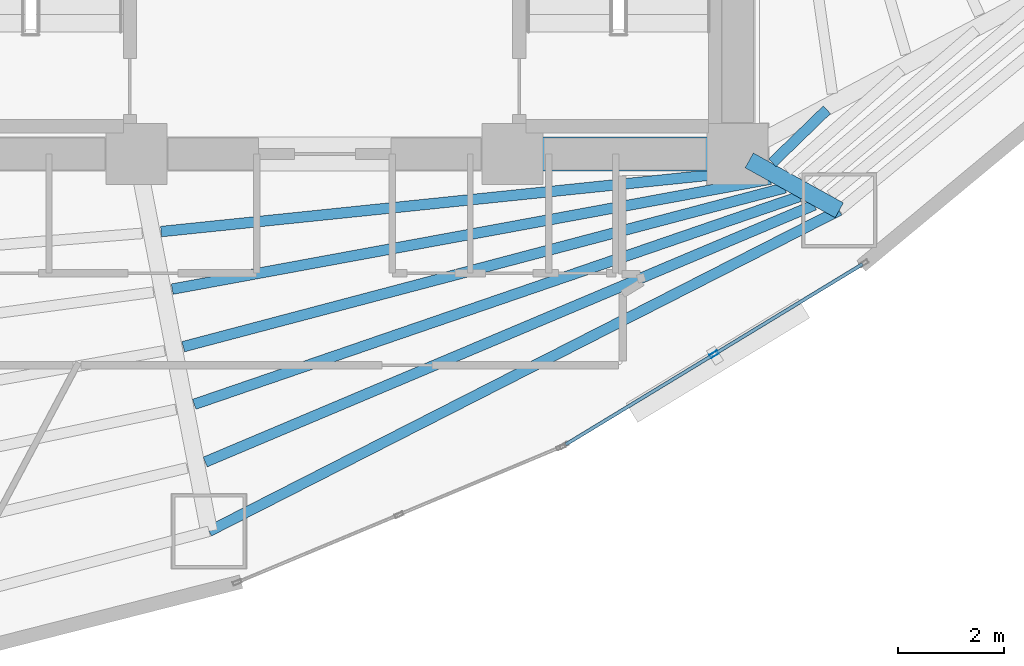
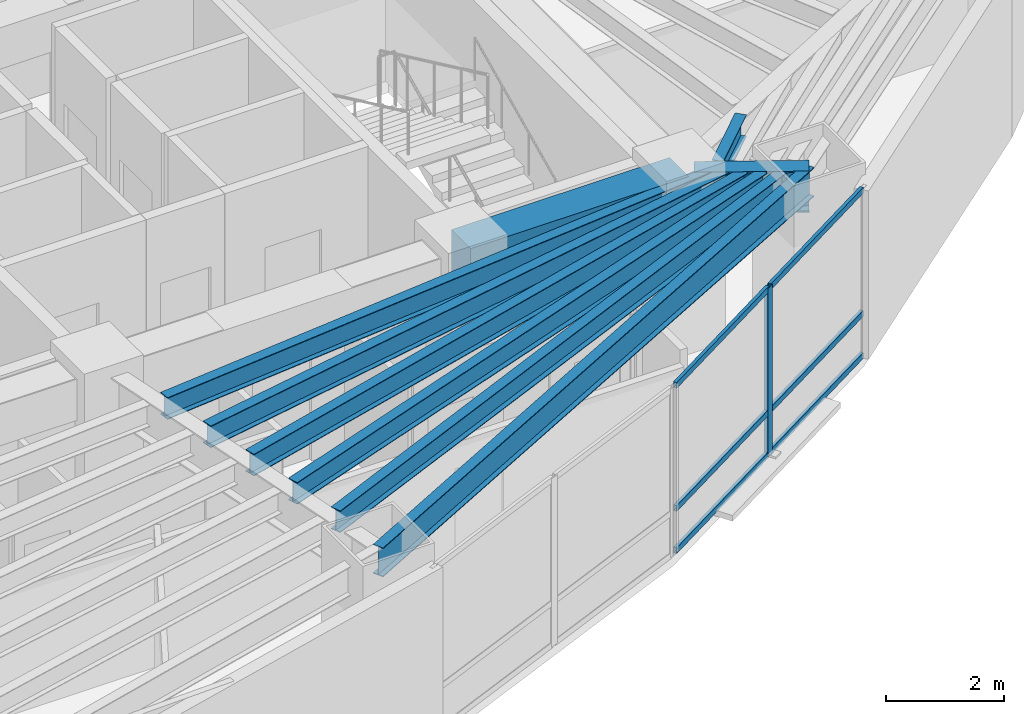
# One storey, part 5 of 18: 9 beams, 7 members, 1 element without a shape of its own.
"""IFC4 building model written with IfcOpenShell, lengths in metres."""

from ifc_helpers import new_model, si_unit, direction, frame, origin, origin_2d, place, context, subcontext, project, spatial, rectangle, hollow_rectangle, i_section, extrude, material, layer, layer_set, material_profile, profile_set, type_object, element, aggregate, save


model = new_model("IFC4")

# Units and contexts
model_context = context("Model", 3, precision=1e-05, world=origin(), true_north=direction((0.0, 1.0)))
body_context = subcontext(model_context, "Body", "Model", "MODEL_VIEW")
ifc_project = project(units=[si_unit("LENGTHUNIT", "METRE"), si_unit("AREAUNIT", "SQUARE_METRE"), si_unit("VOLUMEUNIT", "CUBIC_METRE"), si_unit("PLANEANGLEUNIT", "RADIAN"), si_unit("MASSUNIT", "GRAM", prefix="KILO")], contexts=[model_context])

# Site, building, storey
site_placement = place(None, origin())
site = spatial("IfcSite", under=ifc_project, at=site_placement, CompositionType="ELEMENT")
building_placement = place(site_placement, origin())
building = spatial("IfcBuilding", under=site, at=building_placement, Name="Menara Vayukalpa", CompositionType="ELEMENT")
storey_placement = place(building_placement, frame((0.0, 0.0, 35.0400390625)))
storey = spatial("IfcBuildingStorey", under=building, at=storey_placement, Name="L07", CompositionType="ELEMENT", Elevation=35.0400390625)

# Beams
ifc_material_1 = material(Name="Concrete C60/75", Category="concrete")
ifc_material_profile_1 = material_profile(ifc_material_1, rectangle(XDim=0.64990234375, YDim=0.85009765625, at=origin_2d()), Name="RC 650x850")
ifc_profile_set_1 = profile_set([ifc_material_profile_1], Name="Concrete C60/75")
beam_type_1 = type_object("IfcBeamType", Name="BM-CB1", PredefinedType="BEAM", material=ifc_profile_set_1)
beam_1_placement = place(storey_placement, frame((29.14990234375, 17.199951171875, 3.044921875), z_axis=(1.0, 0.0, 0.0), x_axis=(0.0, 1.0, 0.0)))
element("IfcBeam", 1, at=beam_1_placement, inside=storey, type_object=beam_type_1, Name="L07 Core Tie Beam CBR3", PredefinedType="BEAM", context=body_context, shape_type="SweptSolid", body=[
    extrude(rectangle(XDim=0.64990234375, YDim=0.85009765625, at=origin_2d()), origin(), (0.0, 0.0, 1.0), 4.25),
])
ifc_material_2 = material(Name="Steel S355", Category="steel")
ifc_material_profile_2 = material_profile(ifc_material_2, i_section(OverallWidth=0.320068359375, OverallDepth=0.85009765625, WebThickness=0.01611328125, FlangeThickness=0.030029296875, at=origin_2d()), Name="WF 850x320x16x30")
ifc_profile_set_2 = profile_set([ifc_material_profile_2], Name="Steel S355")
beam_type_2 = type_object("IfcBeamType", Name="BM-PG2", PredefinedType="BEAM", material=ifc_profile_set_2)
beam_2_placement = place(storey_placement, frame((33.61865234375, 17.078857421875, 3.044921875), z_axis=(0.87459548214, -0.484853320727, 0.0), x_axis=(0.484853320727, 0.87459548214, 0.0)))
element("IfcBeam", 2, at=beam_2_placement, inside=storey, type_object=beam_type_2, Name="L07 Primary Radial Girder RG09", PredefinedType="BEAM", context=body_context, shape_type="SweptSolid", body=[
    extrude(i_section(OverallWidth=0.320068359375, OverallDepth=0.85009765625, WebThickness=0.01611328125, FlangeThickness=0.030029296875, at=origin_2d()), origin(), (0.0, 0.0, 1.0), 1.943115234375),
])
ifc_material_3 = material(Name="Steel S355", Category="steel")
ifc_material_profile_3 = material_profile(ifc_material_3, i_section(OverallWidth=0.199951171875, OverallDepth=0.449951171875, WebThickness=0.009033203125, FlangeThickness=0.013916015625, at=origin_2d()), Name="WF 450x200x9x14")
ifc_profile_set_3 = profile_set([ifc_material_profile_3], Name="Steel S355")
beam_type_3 = type_object("IfcBeamType", Name="BM-SJ1", PredefinedType="JOIST", material=ifc_profile_set_3)
beam_3_placement = place(storey_placement, frame((22.514404296875, 15.735107421875, 3.244873046875), z_axis=(0.994746828953, 0.102365747631, 0.0), x_axis=(-0.102365747631, 0.994746828953, 0.0)))
element("IfcBeam", 3, at=beam_3_placement, inside=storey, type_object=beam_type_3, Name="L07 Secondary Floor Joist SJ08-1", PredefinedType="JOIST", context=body_context, shape_type="SweptSolid", body=[
    extrude(i_section(OverallWidth=0.199951171875, OverallDepth=0.449951171875, WebThickness=0.009033203125, FlangeThickness=0.013916015625, at=origin_2d()), origin(), (0.0, 0.0, 1.0), 11.29052734375),
])
beam_4_placement = place(storey_placement, frame((22.723876953125, 14.648681640625, 3.244873046875), z_axis=(0.983504975359, 0.180881075419, 0.0), x_axis=(-0.180881075419, 0.983504975359, 0.0)))
element("IfcBeam", 4, at=beam_4_placement, inside=storey, type_object=beam_type_3, Name="L07 Secondary Floor Joist SJ08-2", PredefinedType="JOIST", context=body_context, shape_type="SweptSolid", body=[
    extrude(i_section(OverallWidth=0.199951171875, OverallDepth=0.449951171875, WebThickness=0.009033203125, FlangeThickness=0.013916015625, at=origin_2d()), origin(), (0.0, 0.0, 1.0), 11.48486328125),
])
beam_5_placement = place(storey_placement, frame((22.932373046875, 13.561767578125, 3.244873046875), z_axis=(0.966863757537, 0.255292918746, 0.0), x_axis=(-0.255292918746, 0.966863757537, 0.0)))
element("IfcBeam", 5, at=beam_5_placement, inside=storey, type_object=beam_type_3, Name="L07 Secondary Floor Joist SJ08-3", PredefinedType="JOIST", context=body_context, shape_type="SweptSolid", body=[
    extrude(i_section(OverallWidth=0.199951171875, OverallDepth=0.449951171875, WebThickness=0.009033203125, FlangeThickness=0.013916015625, at=origin_2d()), origin(), (0.0, 0.0, 1.0), 11.751220703125),
])
beam_6_placement = place(storey_placement, frame((23.14013671875, 12.473876953125, 3.244873046875), z_axis=(0.945794261669, 0.324766400038, 0.0), x_axis=(-0.324766400038, 0.945794261669, 0.0)))
element("IfcBeam", 6, at=beam_6_placement, inside=storey, type_object=beam_type_3, Name="L07 Secondary Floor Joist SJ08-4", PredefinedType="JOIST", context=body_context, shape_type="SweptSolid", body=[
    extrude(i_section(OverallWidth=0.199951171875, OverallDepth=0.449951171875, WebThickness=0.009033203125, FlangeThickness=0.013916015625, at=origin_2d()), origin(), (0.0, 0.0, 1.0), 12.0849609375),
])
beam_7_placement = place(storey_placement, frame((23.34716796875, 11.385009765625, 3.244873046875), z_axis=(0.921359344435, 0.38871192215, 0.0), x_axis=(-0.38871192215, 0.921359344435, 0.0)))
element("IfcBeam", 7, at=beam_7_placement, inside=storey, type_object=beam_type_3, Name="L07 Secondary Floor Joist SJ08-5", PredefinedType="JOIST", context=body_context, shape_type="SweptSolid", body=[
    extrude(i_section(OverallWidth=0.199951171875, OverallDepth=0.449951171875, WebThickness=0.009033203125, FlangeThickness=0.013916015625, at=origin_2d()), origin(), (0.0, 0.0, 1.0), 12.48046875),
])
beam_8_placement = place(storey_placement, frame((34.0537109375, 17.03466796875, 3.244873046875), z_axis=(0.717488193219, 0.696570665899, 0.0), x_axis=(-0.696570665899, 0.717488193219, 0.0)))
element("IfcBeam", 8, at=beam_8_placement, inside=storey, type_object=beam_type_3, Name="L07 Secondary Floor Joist SJ09-1", PredefinedType="JOIST", context=body_context, shape_type="SweptSolid", body=[
    extrude(i_section(OverallWidth=0.199951171875, OverallDepth=0.449951171875, WebThickness=0.009033203125, FlangeThickness=0.013916015625, at=origin_2d()), origin(), (0.0, 0.0, 1.0), 1.435546875),
])
ifc_material_4 = material(Name="Steel S355", Category="steel")
ifc_material_profile_4 = material_profile(ifc_material_4, i_section(OverallWidth=0.199951171875, OverallDepth=0.60009765625, WebThickness=0.010986328125, FlangeThickness=0.01708984375, at=origin_2d()), Name="WF 600x200x11x17")
ifc_profile_set_4 = profile_set([ifc_material_profile_4], Name="Steel S355")
beam_type_4 = type_object("IfcBeamType", Name="BM-SP1", PredefinedType="SPANDREL", material=ifc_profile_set_4)
beam_9_placement = place(storey_placement, frame((23.41943359375, 10.0771484375, 3.169921875), z_axis=(0.891100743313, 0.453805536841, 0.0), x_axis=(-0.453805536841, 0.891100743313, 0.0)))
element("IfcBeam", 9, at=beam_9_placement, inside=storey, type_object=beam_type_4, Name="L07 Perimeter Spandrel Beam SP08", PredefinedType="SPANDREL", context=body_context, shape_type="SweptSolid", body=[
    extrude(i_section(OverallWidth=0.199951171875, OverallDepth=0.60009765625, WebThickness=0.010986328125, FlangeThickness=0.01708984375, at=origin_2d()), origin(), (0.0, 0.0, 1.0), 13.352783203125),
])

# Curtain wall, members
ifc_material_5 = material(Name="Anodised Terracotta Aluminium Alloy 6063-T6", Category="masonry")
ifc_layer = layer(ifc_material_5, 0.1650390625)
ifc_layer_set = layer_set([ifc_layer], Name="Anodised Terracotta Aluminium Alloy 6063-T6")
curtain_wall_type = type_object("IfcCurtainWallType", Name="CW-CW2", PredefinedType="USERDEFINED", material=ifc_layer_set)
curtain_wall_placement = place(storey_placement, origin())
curtain_wall = element("IfcCurtainWall", 10, at=curtain_wall_placement, inside=storey, type_object=curtain_wall_type, Name="L07 Low Rise Terracotta Ribbon Curtain Wall CW2 17", ObjectType="UNITISED", PredefinedType="USERDEFINED")
ifc_material_6 = material(Name="Anodised Terracotta Aluminium Alloy 6063-T6", Category="masonry")
ifc_material_profile_5 = material_profile(ifc_material_6, hollow_rectangle(XDim=0.070068359375, YDim=0.1650390625, WallThickness=0.00390625, at=origin_2d()), Name="ALU 70x165x4")
ifc_profile_set_5 = profile_set([ifc_material_profile_5], Name="Anodised Terracotta Aluminium Alloy 6063-T6")
member_type_1 = type_object("IfcMemberType", Name="CWM-CW2", PredefinedType="MULLION", material=ifc_profile_set_5)
member_1_placement = place(storey_placement, frame((32.9560546875, 13.418701171875, 0.0), z_axis=(0.0, 0.0, 1.0), x_axis=(-0.519181964377, 0.854663727945, 0.0)))
member_1 = element("IfcMember", 11, at=member_1_placement, type_object=member_type_1, Name="CW2 mullion 2", PredefinedType="MULLION", context=body_context, shape_type="SweptSolid", body=[
    extrude(hollow_rectangle(XDim=0.070068359375, YDim=0.1650390625, WallThickness=0.00390625, at=origin_2d()), origin(), (0.0, 0.0, 1.0), 3.469970703125),
])
ifc_material_7 = material(Name="Anodised Terracotta Aluminium Alloy 6063-T6", Category="masonry")
ifc_material_profile_6 = material_profile(ifc_material_7, hollow_rectangle(XDim=0.06494140625, YDim=0.1201171875, WallThickness=0.00341796875, at=origin_2d()), Name="ALU 65x120x3.5")
ifc_profile_set_6 = profile_set([ifc_material_profile_6], Name="Anodised Terracotta Aluminium Alloy 6063-T6")
member_type_2 = type_object("IfcMemberType", Name="CWT-CW2", PredefinedType="USERDEFINED", material=ifc_profile_set_6)
member_2_placement = place(storey_placement, frame((30.155029296875, 11.717041015625, 0.032470703125), z_axis=(0.854676552714, 0.519160851992, 0.0), x_axis=(-0.519160851992, 0.854676552714, 0.0)))
member_2 = element("IfcMember", 12, at=member_2_placement, type_object=member_type_2, Name="CW2 transom 1.1", ObjectType="TRANSOM", PredefinedType="USERDEFINED", context=body_context, shape_type="SweptSolid", body=[
    extrude(hollow_rectangle(XDim=0.06494140625, YDim=0.1201171875, WallThickness=0.00341796875, at=origin_2d()), origin(), (0.0, 0.0, 1.0), 3.242431640625),
])
member_3_placement = place(storey_placement, frame((30.155029296875, 11.717041015625, 0.89990234375), z_axis=(0.854676552714, 0.519160851992, 0.0), x_axis=(-0.519160851992, 0.854676552714, 0.0)))
member_3 = element("IfcMember", 13, at=member_3_placement, type_object=member_type_2, Name="CW2 transom 1.2", ObjectType="TRANSOM", PredefinedType="USERDEFINED", context=body_context, shape_type="SweptSolid", body=[
    extrude(hollow_rectangle(XDim=0.06494140625, YDim=0.1201171875, WallThickness=0.00341796875, at=origin_2d()), origin(), (0.0, 0.0, 1.0), 3.242431640625),
])
member_4_placement = place(storey_placement, frame((30.155029296875, 11.717041015625, 3.4375), z_axis=(0.854676552714, 0.519160851992, 0.0), x_axis=(-0.519160851992, 0.854676552714, 0.0)))
member_4 = element("IfcMember", 14, at=member_4_placement, type_object=member_type_2, Name="CW2 transom 1.3", ObjectType="TRANSOM", PredefinedType="USERDEFINED", context=body_context, shape_type="SweptSolid", body=[
    extrude(hollow_rectangle(XDim=0.06494140625, YDim=0.1201171875, WallThickness=0.00341796875, at=origin_2d()), origin(), (0.0, 0.0, 1.0), 3.242431640625),
])
member_5_placement = place(storey_placement, frame((32.986083984375, 13.436767578125, 0.032470703125), z_axis=(0.854643142641, 0.519215849851, 0.0), x_axis=(-0.519215849851, 0.854643142641, 0.0)))
member_5 = element("IfcMember", 15, at=member_5_placement, type_object=member_type_2, Name="CW2 transom 2.1", ObjectType="TRANSOM", PredefinedType="USERDEFINED", context=body_context, shape_type="SweptSolid", body=[
    extrude(hollow_rectangle(XDim=0.06494140625, YDim=0.1201171875, WallThickness=0.00341796875, at=origin_2d()), origin(), (0.0, 0.0, 1.0), 3.24267578125),
])
member_6_placement = place(storey_placement, frame((32.986083984375, 13.436767578125, 0.89990234375), z_axis=(0.854643142641, 0.519215849851, 0.0), x_axis=(-0.519215849851, 0.854643142641, 0.0)))
member_6 = element("IfcMember", 16, at=member_6_placement, type_object=member_type_2, Name="CW2 transom 2.2", ObjectType="TRANSOM", PredefinedType="USERDEFINED", context=body_context, shape_type="SweptSolid", body=[
    extrude(hollow_rectangle(XDim=0.06494140625, YDim=0.1201171875, WallThickness=0.00341796875, at=origin_2d()), origin(), (0.0, 0.0, 1.0), 3.24267578125),
])
member_7_placement = place(storey_placement, frame((32.986083984375, 13.436767578125, 3.4375), z_axis=(0.854643142641, 0.519215849851, 0.0), x_axis=(-0.519215849851, 0.854643142641, 0.0)))
member_7 = element("IfcMember", 17, at=member_7_placement, type_object=member_type_2, Name="CW2 transom 2.3", ObjectType="TRANSOM", PredefinedType="USERDEFINED", context=body_context, shape_type="SweptSolid", body=[
    extrude(hollow_rectangle(XDim=0.06494140625, YDim=0.1201171875, WallThickness=0.00341796875, at=origin_2d()), origin(), (0.0, 0.0, 1.0), 3.24267578125),
])
aggregate(curtain_wall, [member_1, member_2, member_3, member_4, member_5, member_6, member_7])

save(model, "model.ifc")
